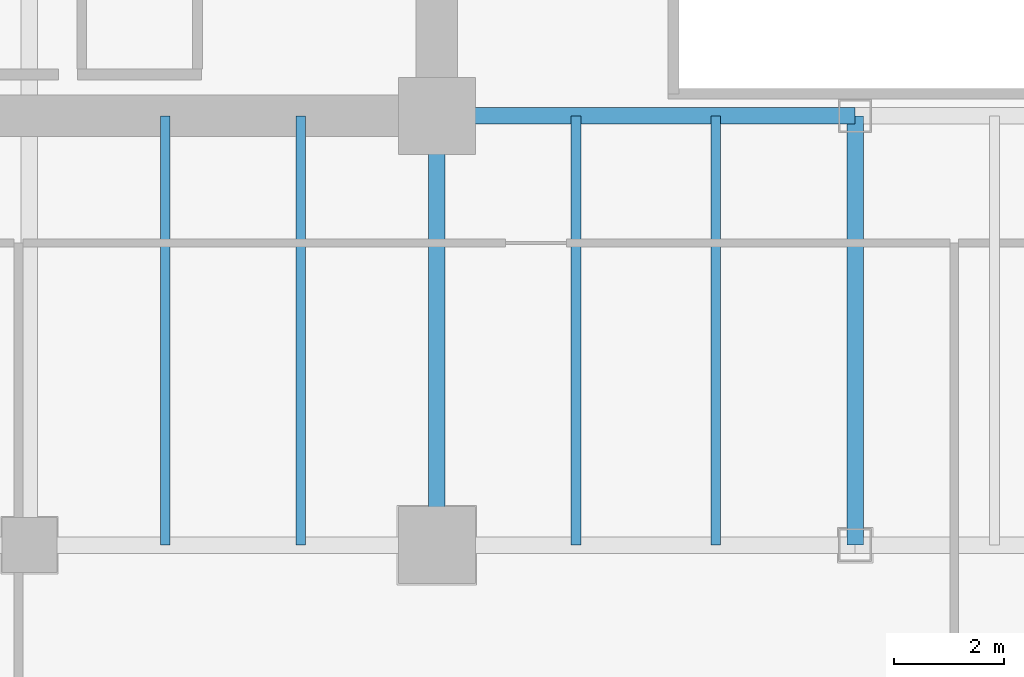
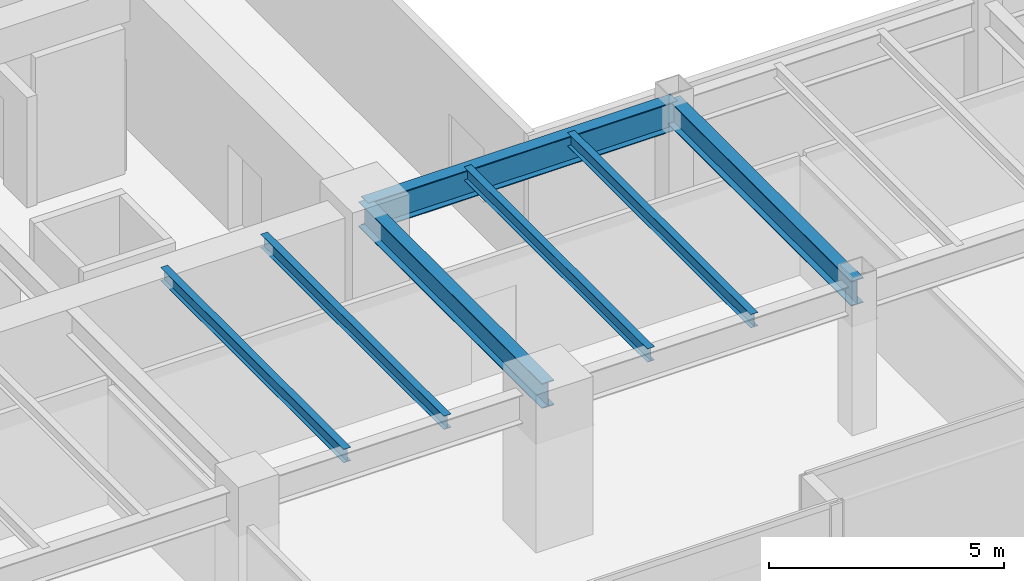
# One storey, part 5 of 37: 7 beams.
"""IFC4 building model written with IfcOpenShell, lengths in metres."""

from ifc_helpers import new_model, si_unit, direction, frame, origin, origin_2d, place, context, subcontext, project, spatial, i_section, extrude, source, transform, mapped, material, material_profile, profile_set, type_object, type_shapes, element, save


model = new_model("IFC4")

# Units and contexts
model_context = context("Model", 3, precision=1e-05, world=origin(), true_north=direction((0.0, 1.0)))
body_context = subcontext(model_context, "Body", "Model", "MODEL_VIEW")
ifc_project = project(units=[si_unit("LENGTHUNIT", "METRE"), si_unit("AREAUNIT", "SQUARE_METRE"), si_unit("VOLUMEUNIT", "CUBIC_METRE"), si_unit("PLANEANGLEUNIT", "RADIAN"), si_unit("MASSUNIT", "GRAM", prefix="KILO")], contexts=[model_context])

# Site, building, storey
site_placement = place(None, origin())
site = spatial("IfcSite", under=ifc_project, at=site_placement, CompositionType="ELEMENT")
building_placement = place(site_placement, origin())
building = spatial("IfcBuilding", under=site, at=building_placement, Name="Haelvirn Gate Laboratories", CompositionType="ELEMENT")
storey_placement = place(building_placement, frame((0.0, 0.0, 74.39990234375)))
storey = spatial("IfcBuildingStorey", under=building, at=storey_placement, Name="L18", CompositionType="ELEMENT", Elevation=74.39990234375)

# Beams
ifc_material = material(Name="Steel SM355", Category="steel")
ifc_material_profile_1 = material_profile(ifc_material, i_section(OverallWidth=0.300048828125, OverallDepth=0.75, WebThickness=0.013916015625, FlangeThickness=0.02392578125, at=origin_2d()), Name="H-750x300x14x24")
ifc_profile_set_1 = profile_set([ifc_material_profile_1], Name="Steel SM355")
beam_type_1 = type_object("IfcBeamType", Name="BM-G-750", PredefinedType="BEAM", material=ifc_profile_set_1)
shared_shape_1 = source(origin(), body_context, "Body", "SweptSolid", [
    extrude(i_section(OverallWidth=0.300048828125, OverallDepth=0.75, WebThickness=0.013916015625, FlangeThickness=0.02392578125, at=origin_2d()), origin(), (0.0, 0.0, 1.0), 7.60009765625),
])
type_shapes(beam_type_1, [shared_shape_1])
beam_placement = place(storey_placement, frame((22.199951171875, 14.800048828125, 3.405029296875), z_axis=(1.0, 0.0, 0.0), x_axis=(0.0, 1.0, 0.0)))
element("IfcBeam", 1, at=beam_placement, inside=storey, type_object=beam_type_1, Name="L18 Primary Girder Y14.8 (22.2-29.8)", PredefinedType="BEAM", context=body_context, shape_type="MappedRepresentation", body=[
    mapped(shared_shape_1, transform((0.0, 0.0, 0.0), scale=1.0)),
])
ifc_material_profile_2 = material_profile(ifc_material, i_section(OverallWidth=0.175048828125, OverallDepth=0.35009765625, WebThickness=0.007080078125, FlangeThickness=0.010986328125, at=origin_2d()), Name="H-350x175x7x11")
ifc_profile_set_2 = profile_set([ifc_material_profile_2], Name="Steel SM355")
beam_type_2 = type_object("IfcBeamType", Name="BM-J-350", PredefinedType="JOIST", material=ifc_profile_set_2)
shared_shape_2 = source(origin(), body_context, "Body", "SweptSolid", [
    extrude(i_section(OverallWidth=0.175048828125, OverallDepth=0.35009765625, WebThickness=0.007080078125, FlangeThickness=0.010986328125, at=origin_2d()), origin(), (0.0, 0.0, 1.0), 7.800048828125),
])
type_shapes(beam_type_2, [shared_shape_2])
for number, where, z_axis, x_axis, name in (
    (2, (17.27001953125, 7.0, 3.60498046875), (0.0, 1.0, 0.0), (-1.0, 0.0, 0.0), "L18 Composite Lab Joist South X17.27"),
    (3, (19.72998046875, 7.0, 3.60498046875), (0.0, 1.0, 0.0), (-1.0, 0.0, 0.0), "L18 Composite Lab Joist South X19.73"),
    (4, (24.72998046875, 7.0, 3.60498046875), (0.0, 1.0, 0.0), (-1.0, 0.0, 0.0), "L18 Composite Lab Joist South X24.73"),
    (5, (27.27001953125, 7.0, 3.60498046875), (0.0, 1.0, 0.0), (-1.0, 0.0, 0.0), "L18 Composite Lab Joist South X27.27"),
):
    element("IfcBeam", number, at=place(storey_placement, frame(where, z_axis=z_axis, x_axis=x_axis)), inside=storey, type_object=beam_type_2, Name=name, PredefinedType="JOIST", context=body_context, shape_type="MappedRepresentation", body=[
        mapped(shared_shape_2, transform((0.0, 0.0, 0.0), scale=1.0)),
    ])
ifc_material_profile_3 = material_profile(ifc_material, i_section(OverallWidth=0.300048828125, OverallDepth=0.64990234375, WebThickness=0.012939453125, FlangeThickness=0.02197265625, at=origin_2d()), Name="H-650x300x13x22")
ifc_profile_set_3 = profile_set([ifc_material_profile_3], Name="Steel SM355")
beam_type_3 = type_object("IfcBeamType", Name="BM-G-650", PredefinedType="BEAM", material=ifc_profile_set_3)
shared_shape_3 = source(origin(), body_context, "Body", "SweptSolid", [
    extrude(i_section(OverallWidth=0.300048828125, OverallDepth=0.64990234375, WebThickness=0.012939453125, FlangeThickness=0.02197265625, at=origin_2d()), origin(), (0.0, 0.0, 1.0), 7.800048828125),
])
type_shapes(beam_type_3, [shared_shape_3])
for number, where, z_axis, x_axis, name in (
    (6, (22.199951171875, 7.0, 3.455078125), (0.0, 1.0, 0.0), (-1.0, 0.0, 0.0), "L18 Frame Girder X22.2 (7.0-14.8)"),
    (7, (29.800048828125, 7.0, 3.455078125), (0.0, 1.0, 0.0), (-1.0, 0.0, 0.0), "L18 Frame Girder X29.8 (7.0-14.8)"),
):
    element("IfcBeam", number, at=place(storey_placement, frame(where, z_axis=z_axis, x_axis=x_axis)), inside=storey, type_object=beam_type_3, Name=name, PredefinedType="BEAM", context=body_context, shape_type="MappedRepresentation", body=[
        mapped(shared_shape_3, transform((0.0, 0.0, 0.0), scale=1.0)),
    ])

save(model, "model.ifc")
